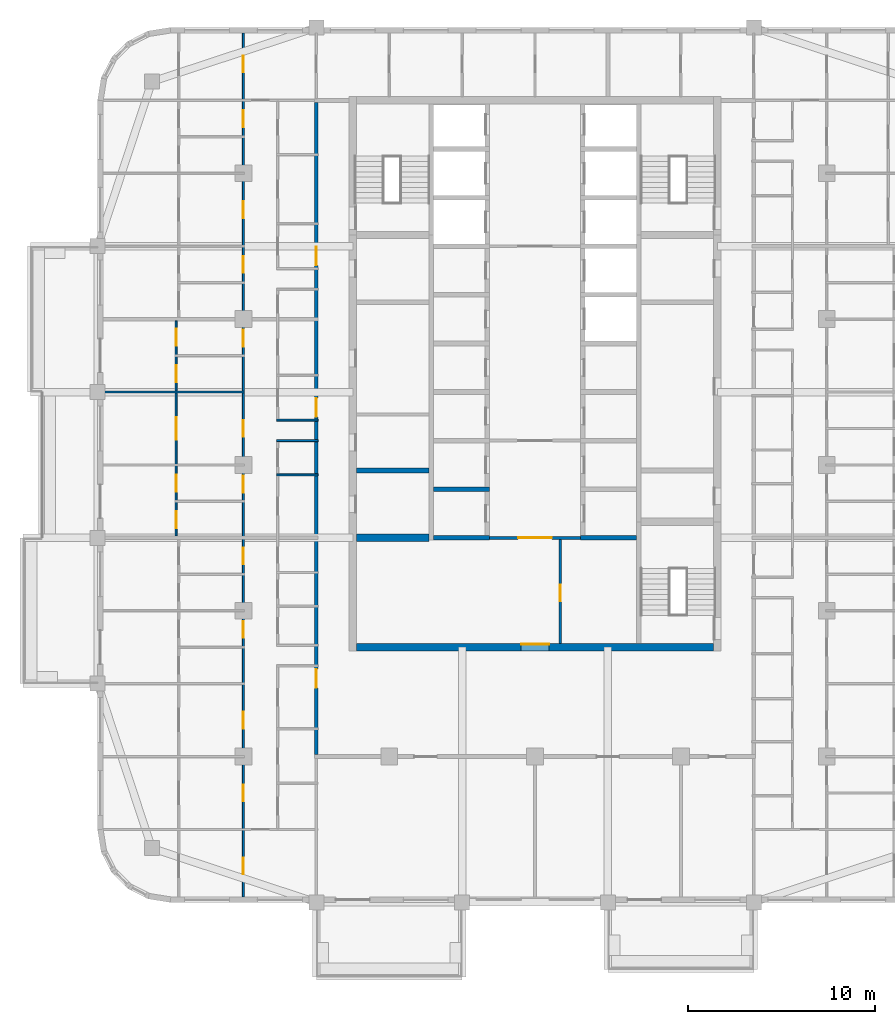
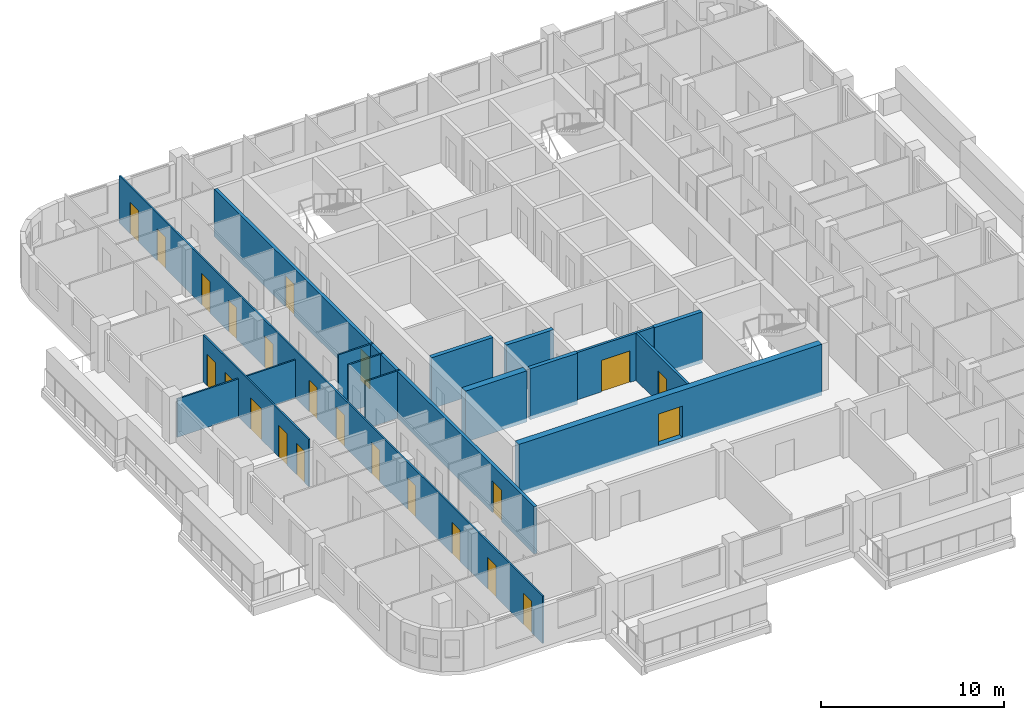
# One storey, part 4 of 16: 23 doors, 15 walls, 23 openings.
"""IFC4 building model written with IfcOpenShell, lengths in metres."""

from ifc_helpers import new_model, si_unit, direction, frame, frame_2d, origin, place, context, subcontext, project, spatial, rectangle, extrude, material, layer, layer_set, type_object, element, fill, save


model = new_model("IFC4")

# Units and contexts
model_context = context("Model", 3, precision=1e-05, world=origin(), true_north=direction((0.0, 1.0)))
body_context = subcontext(model_context, "Body", "Model", "MODEL_VIEW")
ifc_project = project(units=[si_unit("LENGTHUNIT", "METRE"), si_unit("AREAUNIT", "SQUARE_METRE"), si_unit("VOLUMEUNIT", "CUBIC_METRE"), si_unit("PLANEANGLEUNIT", "RADIAN"), si_unit("MASSUNIT", "GRAM", prefix="KILO")], contexts=[model_context])

# Site, building, storey
site_placement = place(None, origin())
site = spatial("IfcSite", under=ifc_project, at=site_placement, CompositionType="ELEMENT")
building_placement = place(site_placement, origin())
building = spatial("IfcBuilding", under=site, at=building_placement, Name="Ludao Terraces", CompositionType="ELEMENT")
storey_placement = place(building_placement, frame((0.0, 0.0, 224.5)))
storey = spatial("IfcBuildingStorey", under=building, at=storey_placement, Name="L61", CompositionType="ELEMENT", Elevation=224.5)

# Wall, opening, door
ifc_material_1 = material(Name="Concrete C50", Category="concrete")
ifc_layer_1 = layer(ifc_material_1, 0.39990234375)
ifc_layer_set_1 = layer_set([ifc_layer_1], Name="Core wall 400 C50")
wall_type_1 = type_object("IfcWallType", Name="Core wall 400 C50", PredefinedType="SOLIDWALL", material=ifc_layer_set_1)
wall_1_placement = place(storey_placement, frame((75.449951171875, 55.25, -0.25), z_axis=(0.0, 0.0, 1.0), x_axis=(1.0, 0.0, 0.0)))
wall_1 = element("IfcWall", 1, at=wall_1_placement, inside=storey, type_object=wall_type_1, Name="Core wall L61 outer-S", PredefinedType="SOLIDWALL", context=body_context, shape_type="SweptSolid", body=[
    extrude(rectangle(XDim=19.10009765625, YDim=0.39990234375, at=frame_2d((9.550048828125, 0.0))), origin(), (0.0, 0.0, 1.0), 3.39990234375),
])
opening_1_placement = place(wall_1_placement, frame((8.800048828125, 0.0, 0.25)))
opening_1 = element("IfcOpeningElement", 2, at=opening_1_placement, cuts=wall_1, Name="Opening R22-028", PredefinedType="OPENING", context=body_context, shape_type="SweptSolid", body=[
    extrude(rectangle(XDim=1.5, YDim=2.10009765625, at=frame_2d((0.75, 1.050048828125))), frame((0.0, 0.2099609375, 0.0), z_axis=(0.0, -1.0, 0.0), x_axis=(1.0, 0.0, 0.0)), (0.0, 0.0, 1.0), 0.419921875),
])
ifc_material_2 = material(Name="Steel Q235", Category="steel")
door_type_1 = type_object("IfcDoorType", Name="INT Lobby door 1500", OperationType="DOUBLE_DOOR_SINGLE_SWING", PredefinedType="DOOR", material=ifc_material_2)
door_1_placement = place(opening_1_placement, origin())
door_1 = element("IfcDoor", 3, at=door_1_placement, inside=storey, type_object=door_type_1, Name="DOOR 028", OperationType="DOUBLE_DOOR_SINGLE_SWING", OverallHeight=2.10009765625, OverallWidth=1.5, PredefinedType="DOOR", context=body_context, shape_type="SweptSolid", body=[
    extrude(rectangle(XDim=1.5, YDim=2.10009765625, at=frame_2d((0.75, 1.050048828125))), frame((0.0, 0.18505859375, 0.0), z_axis=(0.0, -1.0, 0.0), x_axis=(1.0, 0.0, 0.0)), (0.0, 0.0, 1.0), 0.050048828125),
])
fill(opening_1, door_1)

ifc_material_3 = material(Name="Fire-rated gypsum plasterboard", Category="gypsum")
ifc_layer_2 = layer(ifc_material_3, 0.012451171875, Category="gypsum")
ifc_material_4 = material(Name="Mineral wool")
ifc_layer_3 = layer(ifc_material_4, 0.10009765625, Name="insulation")
ifc_layer_4 = layer(ifc_material_2, 0.02490234375, Name="stud")
ifc_layer_5 = layer(ifc_material_3, 0.012451171875, Category="gypsum")
ifc_layer_set_2 = layer_set([ifc_layer_2, ifc_layer_3, ifc_layer_4, ifc_layer_5], Name="INT Core partition 150")
wall_type_2 = type_object("IfcWallType", Name="INT Core partition 150", PredefinedType="PARTITIONING", material=ifc_layer_set_2)
wall_2_placement = place(storey_placement, frame((82.5751953125, 61.10009765625, 0.0), z_axis=(0.0, 0.0, 1.0), x_axis=(1.0, 0.0, 0.0)))
wall_2 = element("IfcWall", 4, at=wall_2_placement, inside=storey, type_object=wall_type_2, Name="PW-L61-PW026", PredefinedType="PARTITIONING", context=body_context, shape_type="SweptSolid", body=[
    extrude(rectangle(XDim=4.849853515625, YDim=0.14990234375, at=frame_2d((2.4248046875, 0.0))), origin(), (0.0, 0.0, 1.0), 3.14990234375),
])
opening_2_placement = place(wall_2_placement, frame((1.52490234375, 0.0, 0.0)))
opening_2 = element("IfcOpeningElement", 5, at=opening_2_placement, cuts=wall_2, Name="Opening R22-047", PredefinedType="OPENING", context=body_context, shape_type="SweptSolid", body=[
    extrude(rectangle(XDim=1.800048828125, YDim=2.10009765625, at=frame_2d((0.89990234375, 1.050048828125))), frame((0.0, 0.0849609375, 0.0), z_axis=(0.0, -1.0, 0.0), x_axis=(1.0, 0.0, 0.0)), (0.0, 0.0, 1.0), 0.169921875),
])
door_type_2 = type_object("IfcDoorType", Name="INT Fire lobby door 1800", OperationType="DOUBLE_DOOR_SINGLE_SWING", PredefinedType="DOOR", material=ifc_material_2)
door_2_placement = place(opening_2_placement, origin())
door_2 = element("IfcDoor", 6, at=door_2_placement, inside=storey, type_object=door_type_2, Name="DOOR 047", OperationType="DOUBLE_DOOR_SINGLE_SWING", OverallHeight=2.10009765625, OverallWidth=1.800048828125, PredefinedType="DOOR", context=body_context, shape_type="SweptSolid", body=[
    extrude(rectangle(XDim=1.800048828125, YDim=2.10009765625, at=frame_2d((0.89990234375, 1.050048828125))), frame((0.0, 0.02490234375, 0.0), z_axis=(0.0, -1.0, 0.0), x_axis=(1.0, 0.0, 0.0)), (0.0, 0.0, 1.0), 0.050048828125),
])
fill(opening_2, door_2)

wall_3_placement = place(storey_placement, frame((86.35009765625, 55.4501953125, 0.0), z_axis=(0.0, 0.0, 1.0), x_axis=(0.0, 1.0, 0.0)))
wall_3 = element("IfcWall", 7, at=wall_3_placement, inside=storey, type_object=wall_type_2, Name="PW-L61-PW084", PredefinedType="PARTITIONING", context=body_context, shape_type="SweptSolid", body=[
    extrude(rectangle(XDim=5.574951171875, YDim=0.14990234375, at=frame_2d((2.78759765625, 0.0))), origin(), (0.0, 0.0, 1.0), 3.14990234375),
])
opening_3_placement = place(wall_3_placement, frame((2.25, 0.0, 0.0)))
opening_3 = element("IfcOpeningElement", 8, at=opening_3_placement, cuts=wall_3, Name="Opening R22-036", PredefinedType="OPENING", context=body_context, shape_type="SweptSolid", body=[
    extrude(rectangle(XDim=0.89990234375, YDim=2.10009765625, at=frame_2d((0.449951171875, 1.050048828125))), frame((0.0, 0.0849609375, 0.0), z_axis=(0.0, -1.0, 0.0), x_axis=(1.0, 0.0, 0.0)), (0.0, 0.0, 1.0), 0.169921875),
])
ifc_material_5 = material(Name="Timber door leaf", Category="wood")
door_type_3 = type_object("IfcDoorType", Name="INT Room door 900", OperationType="SINGLE_SWING_LEFT", PredefinedType="DOOR", material=ifc_material_5)
door_3_placement = place(opening_3_placement, origin())
door_3 = element("IfcDoor", 9, at=door_3_placement, inside=storey, type_object=door_type_3, Name="DOOR 036", OperationType="SINGLE_SWING_RIGHT", OverallHeight=2.10009765625, OverallWidth=0.89990234375, PredefinedType="DOOR", context=body_context, shape_type="SweptSolid", body=[
    extrude(rectangle(XDim=0.89990234375, YDim=2.10009765625, at=frame_2d((0.449951171875, 1.050048828125))), frame((0.0, 0.02490234375, 0.0), z_axis=(0.0, -1.0, 0.0), x_axis=(1.0, 0.0, 0.0)), (0.0, 0.0, 1.0), 0.050048828125),
])
fill(opening_3, door_3)

# Wall, openings, doors
ifc_material_6 = material(Name="Autoclaved aerated concrete block B06 A3.5", Category="concrete")
ifc_layer_6 = layer(ifc_material_6, 0.199951171875)
ifc_layer_set_3 = layer_set([ifc_layer_6], Name="INT Entrance wall 200")
wall_type_3 = type_object("IfcWallType", Name="INT Entrance wall 200", PredefinedType="PARTITIONING", material=ifc_layer_set_3)
wall_4_placement = place(storey_placement, frame((73.300048828125, 49.5, 0.0), z_axis=(0.0, 0.0, 1.0), x_axis=(0.0, 1.0, 0.0)))
wall_4 = element("IfcWall", 10, at=wall_4_placement, inside=storey, type_object=wall_type_3, Name="PW-L61-PW078", PredefinedType="PARTITIONING", context=body_context, shape_type="SweptSolid", body=[
    extrude(rectangle(XDim=34.900146484375, YDim=0.199951171875, at=frame_2d((17.4501953125, 0.0))), origin(), (0.0, 0.0, 1.0), 3.14990234375),
])
opening_4_placement = place(wall_4_placement, frame((3.5751953125, 0.0, 0.0)))
opening_4 = element("IfcOpeningElement", 11, at=opening_4_placement, cuts=wall_4, Name="Opening R22-025", PredefinedType="OPENING", context=body_context, shape_type="SweptSolid", body=[
    extrude(rectangle(XDim=1.0, YDim=2.10009765625, at=frame_2d((0.5, 1.050048828125))), frame((0.0, 0.10986328125, 0.0), z_axis=(0.0, -1.0, 0.0), x_axis=(1.0, 0.0, 0.0)), (0.0, 0.0, 1.0), 0.219970703125),
])
opening_5_placement = place(wall_4_placement, frame((18.0751953125, 0.0, 0.0)))
opening_5 = element("IfcOpeningElement", 12, at=opening_5_placement, cuts=wall_4, Name="Opening R22-074", PredefinedType="OPENING", context=body_context, shape_type="SweptSolid", body=[
    extrude(rectangle(XDim=1.0, YDim=2.10009765625, at=frame_2d((0.5, 1.050048828125))), frame((0.0, 0.10986328125, 0.0), z_axis=(0.0, -1.0, 0.0), x_axis=(1.0, 0.0, 0.0)), (0.0, 0.0, 1.0), 0.219970703125),
])
opening_6_placement = place(wall_4_placement, frame((26.175048828125, 0.0, 0.0)))
opening_6 = element("IfcOpeningElement", 13, at=opening_6_placement, cuts=wall_4, Name="Opening R22-103", PredefinedType="OPENING", context=body_context, shape_type="SweptSolid", body=[
    extrude(rectangle(XDim=1.0, YDim=2.10009765625, at=frame_2d((0.5, 1.050048828125))), frame((0.0, 0.10986328125, 0.0), z_axis=(0.0, -1.0, 0.0), x_axis=(1.0, 0.0, 0.0)), (0.0, 0.0, 1.0), 0.219970703125),
])
door_type_4 = type_object("IfcDoorType", Name="INT Flat entrance door 1000", OperationType="SINGLE_SWING_LEFT", PredefinedType="DOOR", material=ifc_material_2)
door_4_placement = place(opening_4_placement, origin())
door_4 = element("IfcDoor", 14, at=door_4_placement, inside=storey, type_object=door_type_4, Name="DOOR 025", OperationType="SINGLE_SWING_LEFT", OverallHeight=2.10009765625, OverallWidth=1.0, PredefinedType="DOOR", context=body_context, shape_type="SweptSolid", body=[
    extrude(rectangle(XDim=1.0, YDim=2.10009765625, at=frame_2d((0.5, 1.050048828125))), frame((0.0, 0.02490234375, 0.0), z_axis=(0.0, -1.0, 0.0), x_axis=(1.0, 0.0, 0.0)), (0.0, 0.0, 1.0), 0.050048828125),
])
fill(opening_4, door_4)
door_5_placement = place(opening_5_placement, origin())
door_5 = element("IfcDoor", 15, at=door_5_placement, inside=storey, type_object=door_type_4, Name="DOOR 074", OperationType="SINGLE_SWING_RIGHT", OverallHeight=2.10009765625, OverallWidth=1.0, PredefinedType="DOOR", context=body_context, shape_type="SweptSolid", body=[
    extrude(rectangle(XDim=1.0, YDim=2.10009765625, at=frame_2d((0.5, 1.050048828125))), frame((0.0, 0.02490234375, 0.0), z_axis=(0.0, -1.0, 0.0), x_axis=(1.0, 0.0, 0.0)), (0.0, 0.0, 1.0), 0.050048828125),
])
fill(opening_5, door_5)
door_6_placement = place(opening_6_placement, origin())
door_6 = element("IfcDoor", 16, at=door_6_placement, inside=storey, type_object=door_type_4, Name="DOOR 103", OperationType="SINGLE_SWING_RIGHT", OverallHeight=2.10009765625, OverallWidth=1.0, PredefinedType="DOOR", context=body_context, shape_type="SweptSolid", body=[
    extrude(rectangle(XDim=1.0, YDim=2.10009765625, at=frame_2d((0.5, 1.050048828125))), frame((0.0, 0.02490234375, 0.0), z_axis=(0.0, -1.0, 0.0), x_axis=(1.0, 0.0, 0.0)), (0.0, 0.0, 1.0), 0.050048828125),
])
fill(opening_6, door_6)

# Walls
ifc_material_7 = material(Name="Gypsum plasterboard", Category="gypsum")
ifc_layer_7 = layer(ifc_material_7, 0.012451171875, Category="gypsum")
ifc_layer_8 = layer(ifc_material_4, 0.06005859375, Name="insulation")
ifc_layer_9 = layer(ifc_material_2, 0.014892578125, Name="stud")
ifc_layer_10 = layer(ifc_material_7, 0.012451171875, Category="gypsum")
ifc_layer_set_4 = layer_set([ifc_layer_7, ifc_layer_8, ifc_layer_9, ifc_layer_10], Name="INT Partition 100")
wall_type_4 = type_object("IfcWallType", Name="INT Partition 100", PredefinedType="PARTITIONING", material=ifc_layer_set_4)
for number, where, z_axis, x_axis, name in (
    (17, (71.18017578125, 64.469970703125, 0.0), (0.0, 0.0, 1.0), (1.0, 0.0, 0.0), "PW-L61-PW031"),
    (18, (71.18017578125, 66.300048828125, 0.0), (0.0, 0.0, 1.0), (1.0, 0.0, 0.0), "PW-L61-PW035"),
    (19, (71.18017578125, 67.39990234375, 0.0), (0.0, 0.0, 1.0), (1.0, 0.0, 0.0), "PW-L61-PW038"),
):
    element("IfcWall", number, at=place(storey_placement, frame(where, z_axis=z_axis, x_axis=x_axis)), inside=storey, type_object=wall_type_4, Name=name, PredefinedType="PARTITIONING", context=body_context, shape_type="SweptSolid", body=[
        extrude(rectangle(XDim=2.219970703125, YDim=0.10009765625, at=frame_2d((1.10986328125, 0.0))), origin(), (0.0, 0.0, 1.0), 3.14990234375),
    ])
wall_5_placement = place(storey_placement, frame((61.900146484375, 68.89990234375, 0.0), z_axis=(0.0, 0.0, 1.0), x_axis=(1.0, 0.0, 0.0)))
element("IfcWall", 20, at=wall_5_placement, inside=storey, type_object=wall_type_4, Name="PW-L61-PW041", PredefinedType="PARTITIONING", context=body_context, shape_type="SweptSolid", body=[
    extrude(rectangle(XDim=7.550048828125, YDim=0.10009765625, at=frame_2d((3.77490234375, 0.0))), origin(), (0.0, 0.0, 1.0), 2.550048828125),
])

# Wall, openings, doors
wall_6_placement = place(storey_placement, frame((65.800048828125, 61.2001953125, 0.0), z_axis=(0.0, 0.0, 1.0), x_axis=(0.0, 1.0, 0.0)))
wall_6 = element("IfcWall", 21, at=wall_6_placement, inside=storey, type_object=wall_type_4, Name="PW-L61-PW069", PredefinedType="PARTITIONING", context=body_context, shape_type="SweptSolid", body=[
    extrude(rectangle(XDim=11.5, YDim=0.10009765625, at=frame_2d((5.75, 0.0))), origin(), (0.0, 0.0, 1.0), 3.14990234375),
])
opening_7_placement = place(wall_6_placement, frame((0.4248046875, 0.0, 0.0)))
opening_7 = element("IfcOpeningElement", 22, at=opening_7_placement, cuts=wall_6, Name="Opening R22-048", PredefinedType="OPENING", context=body_context, shape_type="SweptSolid", body=[
    extrude(rectangle(XDim=0.89990234375, YDim=2.10009765625, at=frame_2d((0.449951171875, 1.050048828125))), frame((0.0, 0.06005859375, 0.0), z_axis=(0.0, -1.0, 0.0), x_axis=(1.0, 0.0, 0.0)), (0.0, 0.0, 1.0), 0.1201171875),
])
opening_8_placement = place(wall_6_placement, frame((2.375, 0.0, 0.0)))
opening_8 = element("IfcOpeningElement", 23, at=opening_8_placement, cuts=wall_6, Name="Opening R22-058", PredefinedType="OPENING", context=body_context, shape_type="SweptSolid", body=[
    extrude(rectangle(XDim=0.89990234375, YDim=2.10009765625, at=frame_2d((0.449951171875, 1.050048828125))), frame((0.0, 0.06005859375, 0.0), z_axis=(0.0, -1.0, 0.0), x_axis=(1.0, 0.0, 0.0)), (0.0, 0.0, 1.0), 0.1201171875),
])
opening_9_placement = place(wall_6_placement, frame((5.14990234375, 0.0, 0.0)))
opening_9 = element("IfcOpeningElement", 24, at=opening_9_placement, cuts=wall_6, Name="Opening R22-067", PredefinedType="OPENING", context=body_context, shape_type="SweptSolid", body=[
    extrude(rectangle(XDim=1.199951171875, YDim=2.10009765625, at=frame_2d((0.60009765625, 1.050048828125))), frame((0.0, 0.06005859375, 0.0), z_axis=(0.0, -1.0, 0.0), x_axis=(1.0, 0.0, 0.0)), (0.0, 0.0, 1.0), 0.1201171875),
])
opening_10_placement = place(wall_6_placement, frame((8.224853515625, 0.0, 0.0)))
opening_10 = element("IfcOpeningElement", 25, at=opening_10_placement, cuts=wall_6, Name="Opening R22-077", PredefinedType="OPENING", context=body_context, shape_type="SweptSolid", body=[
    extrude(rectangle(XDim=0.89990234375, YDim=2.10009765625, at=frame_2d((0.449951171875, 1.050048828125))), frame((0.0, 0.06005859375, 0.0), z_axis=(0.0, -1.0, 0.0), x_axis=(1.0, 0.0, 0.0)), (0.0, 0.0, 1.0), 0.1201171875),
])
opening_11_placement = place(wall_6_placement, frame((10.1748046875, 0.0, 0.0)))
opening_11 = element("IfcOpeningElement", 26, at=opening_11_placement, cuts=wall_6, Name="Opening R22-086", PredefinedType="OPENING", context=body_context, shape_type="SweptSolid", body=[
    extrude(rectangle(XDim=0.89990234375, YDim=2.10009765625, at=frame_2d((0.449951171875, 1.050048828125))), frame((0.0, 0.06005859375, 0.0), z_axis=(0.0, -1.0, 0.0), x_axis=(1.0, 0.0, 0.0)), (0.0, 0.0, 1.0), 0.1201171875),
])
door_type_5 = type_object("IfcDoorType", Name="INT Bathroom door 900", OperationType="SINGLE_SWING_LEFT", PredefinedType="DOOR", material=ifc_material_5)
door_7_placement = place(opening_7_placement, origin())
door_7 = element("IfcDoor", 27, at=door_7_placement, inside=storey, type_object=door_type_5, Name="DOOR 048", OperationType="SINGLE_SWING_RIGHT", OverallHeight=2.10009765625, OverallWidth=0.89990234375, PredefinedType="DOOR", context=body_context, shape_type="SweptSolid", body=[
    extrude(rectangle(XDim=0.89990234375, YDim=2.10009765625, at=frame_2d((0.449951171875, 1.050048828125))), frame((0.0, 0.02490234375, 0.0), z_axis=(0.0, -1.0, 0.0), x_axis=(1.0, 0.0, 0.0)), (0.0, 0.0, 1.0), 0.050048828125),
])
fill(opening_7, door_7)
door_8_placement = place(opening_10_placement, origin())
door_8 = element("IfcDoor", 28, at=door_8_placement, inside=storey, type_object=door_type_5, Name="DOOR 077", OperationType="SINGLE_SWING_RIGHT", OverallHeight=2.10009765625, OverallWidth=0.89990234375, PredefinedType="DOOR", context=body_context, shape_type="SweptSolid", body=[
    extrude(rectangle(XDim=0.89990234375, YDim=2.10009765625, at=frame_2d((0.449951171875, 1.050048828125))), frame((0.0, 0.02490234375, 0.0), z_axis=(0.0, -1.0, 0.0), x_axis=(1.0, 0.0, 0.0)), (0.0, 0.0, 1.0), 0.050048828125),
])
fill(opening_10, door_8)
door_type_6 = type_object("IfcDoorType", Name="INT Double door 1200", OperationType="DOUBLE_DOOR_SINGLE_SWING", PredefinedType="DOOR", material=ifc_material_5)
door_9_placement = place(opening_9_placement, origin())
door_9 = element("IfcDoor", 29, at=door_9_placement, inside=storey, type_object=door_type_6, Name="DOOR 067", OperationType="DOUBLE_DOOR_SINGLE_SWING", OverallHeight=2.10009765625, OverallWidth=1.199951171875, PredefinedType="DOOR", context=body_context, shape_type="SweptSolid", body=[
    extrude(rectangle(XDim=1.199951171875, YDim=2.10009765625, at=frame_2d((0.60009765625, 1.050048828125))), frame((0.0, 0.02490234375, 0.0), z_axis=(0.0, -1.0, 0.0), x_axis=(1.0, 0.0, 0.0)), (0.0, 0.0, 1.0), 0.050048828125),
])
fill(opening_9, door_9)
door_10_placement = place(opening_8_placement, origin())
door_10 = element("IfcDoor", 30, at=door_10_placement, inside=storey, type_object=door_type_3, Name="DOOR 058", OperationType="SINGLE_SWING_RIGHT", OverallHeight=2.10009765625, OverallWidth=0.89990234375, PredefinedType="DOOR", context=body_context, shape_type="SweptSolid", body=[
    extrude(rectangle(XDim=0.89990234375, YDim=2.10009765625, at=frame_2d((0.449951171875, 1.050048828125))), frame((0.0, 0.02490234375, 0.0), z_axis=(0.0, -1.0, 0.0), x_axis=(1.0, 0.0, 0.0)), (0.0, 0.0, 1.0), 0.050048828125),
])
fill(opening_8, door_10)
door_11_placement = place(opening_11_placement, origin())
door_11 = element("IfcDoor", 31, at=door_11_placement, inside=storey, type_object=door_type_3, Name="DOOR 086", OperationType="SINGLE_SWING_LEFT", OverallHeight=2.10009765625, OverallWidth=0.89990234375, PredefinedType="DOOR", context=body_context, shape_type="SweptSolid", body=[
    extrude(rectangle(XDim=0.89990234375, YDim=2.10009765625, at=frame_2d((0.449951171875, 1.050048828125))), frame((0.0, 0.02490234375, 0.0), z_axis=(0.0, -1.0, 0.0), x_axis=(1.0, 0.0, 0.0)), (0.0, 0.0, 1.0), 0.050048828125),
])
fill(opening_11, door_11)

wall_7_placement = place(storey_placement, frame((69.39990234375, 41.900146484375, 0.0), z_axis=(0.0, 0.0, 1.0), x_axis=(0.0, 1.0, 0.0)))
wall_7 = element("IfcWall", 32, at=wall_7_placement, inside=storey, type_object=wall_type_4, Name="PW-L61-PW072", PredefinedType="PARTITIONING", context=body_context, shape_type="SweptSolid", body=[
    extrude(rectangle(XDim=46.199951171875, YDim=0.10009765625, at=frame_2d((23.10009765625, 0.0))), origin(), (0.0, 0.0, 1.0), 3.14990234375),
])
opening_12_placement = place(wall_7_placement, frame((1.199951171875, 0.0, 0.0)))
opening_12 = element("IfcOpeningElement", 33, at=opening_12_placement, cuts=wall_7, Name="Opening R22-002", PredefinedType="OPENING", context=body_context, shape_type="SweptSolid", body=[
    extrude(rectangle(XDim=0.89990234375, YDim=2.10009765625, at=frame_2d((0.449951171875, 1.050048828125))), frame((0.0, 0.06005859375, 0.0), z_axis=(0.0, -1.0, 0.0), x_axis=(1.0, 0.0, 0.0)), (0.0, 0.0, 1.0), 0.1201171875),
])
opening_13_placement = place(wall_7_placement, frame((5.10009765625, 0.0, 0.0)))
opening_13 = element("IfcOpeningElement", 34, at=opening_13_placement, cuts=wall_7, Name="Opening R22-011", PredefinedType="OPENING", context=body_context, shape_type="SweptSolid", body=[
    extrude(rectangle(XDim=0.89990234375, YDim=2.10009765625, at=frame_2d((0.449951171875, 1.050048828125))), frame((0.0, 0.06005859375, 0.0), z_axis=(0.0, -1.0, 0.0), x_axis=(1.0, 0.0, 0.0)), (0.0, 0.0, 1.0), 0.1201171875),
])
opening_14_placement = place(wall_7_placement, frame((9.0, 0.0, 0.0)))
opening_14 = element("IfcOpeningElement", 35, at=opening_14_placement, cuts=wall_7, Name="Opening R22-020", PredefinedType="OPENING", context=body_context, shape_type="SweptSolid", body=[
    extrude(rectangle(XDim=0.89990234375, YDim=2.10009765625, at=frame_2d((0.449951171875, 1.050048828125))), frame((0.0, 0.06005859375, 0.0), z_axis=(0.0, -1.0, 0.0), x_axis=(1.0, 0.0, 0.0)), (0.0, 0.0, 1.0), 0.1201171875),
])
opening_15_placement = place(wall_7_placement, frame((13.85009765625, 0.0, 0.0)))
opening_15 = element("IfcOpeningElement", 36, at=opening_15_placement, cuts=wall_7, Name="Opening R22-031", PredefinedType="OPENING", context=body_context, shape_type="SweptSolid", body=[
    extrude(rectangle(XDim=0.89990234375, YDim=2.10009765625, at=frame_2d((0.449951171875, 1.050048828125))), frame((0.0, 0.06005859375, 0.0), z_axis=(0.0, -1.0, 0.0), x_axis=(1.0, 0.0, 0.0)), (0.0, 0.0, 1.0), 0.1201171875),
])
opening_16_placement = place(wall_7_placement, frame((17.77490234375, 0.0, 0.0)))
opening_16 = element("IfcOpeningElement", 37, at=opening_16_placement, cuts=wall_7, Name="Opening R22-043", PredefinedType="OPENING", context=body_context, shape_type="SweptSolid", body=[
    extrude(rectangle(XDim=0.89990234375, YDim=2.10009765625, at=frame_2d((0.449951171875, 1.050048828125))), frame((0.0, 0.06005859375, 0.0), z_axis=(0.0, -1.0, 0.0), x_axis=(1.0, 0.0, 0.0)), (0.0, 0.0, 1.0), 0.1201171875),
])
opening_17_placement = place(wall_7_placement, frame((21.625, 0.0, 0.0)))
opening_17 = element("IfcOpeningElement", 38, at=opening_17_placement, cuts=wall_7, Name="Opening R22-056", PredefinedType="OPENING", context=body_context, shape_type="SweptSolid", body=[
    extrude(rectangle(XDim=0.89990234375, YDim=2.10009765625, at=frame_2d((0.449951171875, 1.050048828125))), frame((0.0, 0.06005859375, 0.0), z_axis=(0.0, -1.0, 0.0), x_axis=(1.0, 0.0, 0.0)), (0.0, 0.0, 1.0), 0.1201171875),
])
opening_18_placement = place(wall_7_placement, frame((24.60009765625, 0.0, 0.0)))
opening_18 = element("IfcOpeningElement", 39, at=opening_18_placement, cuts=wall_7, Name="Opening R22-068", PredefinedType="OPENING", context=body_context, shape_type="SweptSolid", body=[
    extrude(rectangle(XDim=0.89990234375, YDim=2.10009765625, at=frame_2d((0.449951171875, 1.050048828125))), frame((0.0, 0.06005859375, 0.0), z_axis=(0.0, -1.0, 0.0), x_axis=(1.0, 0.0, 0.0)), (0.0, 0.0, 1.0), 0.1201171875),
])
opening_19_placement = place(wall_7_placement, frame((29.425048828125, 0.0, 0.0)))
opening_19 = element("IfcOpeningElement", 40, at=opening_19_placement, cuts=wall_7, Name="Opening R22-085", PredefinedType="OPENING", context=body_context, shape_type="SweptSolid", body=[
    extrude(rectangle(XDim=0.89990234375, YDim=2.10009765625, at=frame_2d((0.449951171875, 1.050048828125))), frame((0.0, 0.06005859375, 0.0), z_axis=(0.0, -1.0, 0.0), x_axis=(1.0, 0.0, 0.0)), (0.0, 0.0, 1.0), 0.1201171875),
])
opening_20_placement = place(wall_7_placement, frame((33.375, 0.0, 0.0)))
opening_20 = element("IfcOpeningElement", 41, at=opening_20_placement, cuts=wall_7, Name="Opening R22-100", PredefinedType="OPENING", context=body_context, shape_type="SweptSolid", body=[
    extrude(rectangle(XDim=0.89990234375, YDim=2.10009765625, at=frame_2d((0.449951171875, 1.050048828125))), frame((0.0, 0.06005859375, 0.0), z_axis=(0.0, -1.0, 0.0), x_axis=(1.0, 0.0, 0.0)), (0.0, 0.0, 1.0), 0.1201171875),
])
opening_21_placement = place(wall_7_placement, frame((36.300048828125, 0.0, 0.0)))
opening_21 = element("IfcOpeningElement", 42, at=opening_21_placement, cuts=wall_7, Name="Opening R22-112", PredefinedType="OPENING", context=body_context, shape_type="SweptSolid", body=[
    extrude(rectangle(XDim=0.89990234375, YDim=2.10009765625, at=frame_2d((0.449951171875, 1.050048828125))), frame((0.0, 0.06005859375, 0.0), z_axis=(0.0, -1.0, 0.0), x_axis=(1.0, 0.0, 0.0)), (0.0, 0.0, 1.0), 0.1201171875),
])
opening_22_placement = place(wall_7_placement, frame((41.175048828125, 0.0, 0.0)))
opening_22 = element("IfcOpeningElement", 43, at=opening_22_placement, cuts=wall_7, Name="Opening R22-128", PredefinedType="OPENING", context=body_context, shape_type="SweptSolid", body=[
    extrude(rectangle(XDim=0.89990234375, YDim=2.10009765625, at=frame_2d((0.449951171875, 1.050048828125))), frame((0.0, 0.06005859375, 0.0), z_axis=(0.0, -1.0, 0.0), x_axis=(1.0, 0.0, 0.0)), (0.0, 0.0, 1.0), 0.1201171875),
])
opening_23_placement = place(wall_7_placement, frame((44.10009765625, 0.0, 0.0)))
opening_23 = element("IfcOpeningElement", 44, at=opening_23_placement, cuts=wall_7, Name="Opening R22-132", PredefinedType="OPENING", context=body_context, shape_type="SweptSolid", body=[
    extrude(rectangle(XDim=0.89990234375, YDim=2.10009765625, at=frame_2d((0.449951171875, 1.050048828125))), frame((0.0, 0.06005859375, 0.0), z_axis=(0.0, -1.0, 0.0), x_axis=(1.0, 0.0, 0.0)), (0.0, 0.0, 1.0), 0.1201171875),
])
door_12_placement = place(opening_12_placement, origin())
door_12 = element("IfcDoor", 45, at=door_12_placement, inside=storey, type_object=door_type_3, Name="DOOR 002", OperationType="SINGLE_SWING_LEFT", OverallHeight=2.10009765625, OverallWidth=0.89990234375, PredefinedType="DOOR", context=body_context, shape_type="SweptSolid", body=[
    extrude(rectangle(XDim=0.89990234375, YDim=2.10009765625, at=frame_2d((0.449951171875, 1.050048828125))), frame((0.0, 0.02490234375, 0.0), z_axis=(0.0, -1.0, 0.0), x_axis=(1.0, 0.0, 0.0)), (0.0, 0.0, 1.0), 0.050048828125),
])
fill(opening_12, door_12)
door_13_placement = place(opening_13_placement, origin())
door_13 = element("IfcDoor", 46, at=door_13_placement, inside=storey, type_object=door_type_3, Name="DOOR 011", OperationType="SINGLE_SWING_RIGHT", OverallHeight=2.10009765625, OverallWidth=0.89990234375, PredefinedType="DOOR", context=body_context, shape_type="SweptSolid", body=[
    extrude(rectangle(XDim=0.89990234375, YDim=2.10009765625, at=frame_2d((0.449951171875, 1.050048828125))), frame((0.0, 0.02490234375, 0.0), z_axis=(0.0, -1.0, 0.0), x_axis=(1.0, 0.0, 0.0)), (0.0, 0.0, 1.0), 0.050048828125),
])
fill(opening_13, door_13)
door_14_placement = place(opening_14_placement, origin())
door_14 = element("IfcDoor", 47, at=door_14_placement, inside=storey, type_object=door_type_3, Name="DOOR 020", OperationType="SINGLE_SWING_LEFT", OverallHeight=2.10009765625, OverallWidth=0.89990234375, PredefinedType="DOOR", context=body_context, shape_type="SweptSolid", body=[
    extrude(rectangle(XDim=0.89990234375, YDim=2.10009765625, at=frame_2d((0.449951171875, 1.050048828125))), frame((0.0, 0.02490234375, 0.0), z_axis=(0.0, -1.0, 0.0), x_axis=(1.0, 0.0, 0.0)), (0.0, 0.0, 1.0), 0.050048828125),
])
fill(opening_14, door_14)
door_15_placement = place(opening_15_placement, origin())
door_15 = element("IfcDoor", 48, at=door_15_placement, inside=storey, type_object=door_type_3, Name="DOOR 031", OperationType="SINGLE_SWING_LEFT", OverallHeight=2.10009765625, OverallWidth=0.89990234375, PredefinedType="DOOR", context=body_context, shape_type="SweptSolid", body=[
    extrude(rectangle(XDim=0.89990234375, YDim=2.10009765625, at=frame_2d((0.449951171875, 1.050048828125))), frame((0.0, 0.02490234375, 0.0), z_axis=(0.0, -1.0, 0.0), x_axis=(1.0, 0.0, 0.0)), (0.0, 0.0, 1.0), 0.050048828125),
])
fill(opening_15, door_15)
door_16_placement = place(opening_16_placement, origin())
door_16 = element("IfcDoor", 49, at=door_16_placement, inside=storey, type_object=door_type_3, Name="DOOR 043", OperationType="SINGLE_SWING_LEFT", OverallHeight=2.10009765625, OverallWidth=0.89990234375, PredefinedType="DOOR", context=body_context, shape_type="SweptSolid", body=[
    extrude(rectangle(XDim=0.89990234375, YDim=2.10009765625, at=frame_2d((0.449951171875, 1.050048828125))), frame((0.0, 0.02490234375, 0.0), z_axis=(0.0, -1.0, 0.0), x_axis=(1.0, 0.0, 0.0)), (0.0, 0.0, 1.0), 0.050048828125),
])
fill(opening_16, door_16)
door_17_placement = place(opening_17_placement, origin())
door_17 = element("IfcDoor", 50, at=door_17_placement, inside=storey, type_object=door_type_3, Name="DOOR 056", OperationType="SINGLE_SWING_LEFT", OverallHeight=2.10009765625, OverallWidth=0.89990234375, PredefinedType="DOOR", context=body_context, shape_type="SweptSolid", body=[
    extrude(rectangle(XDim=0.89990234375, YDim=2.10009765625, at=frame_2d((0.449951171875, 1.050048828125))), frame((0.0, 0.02490234375, 0.0), z_axis=(0.0, -1.0, 0.0), x_axis=(1.0, 0.0, 0.0)), (0.0, 0.0, 1.0), 0.050048828125),
])
fill(opening_17, door_17)
door_18_placement = place(opening_18_placement, origin())
door_18 = element("IfcDoor", 51, at=door_18_placement, inside=storey, type_object=door_type_3, Name="DOOR 068", OperationType="SINGLE_SWING_LEFT", OverallHeight=2.10009765625, OverallWidth=0.89990234375, PredefinedType="DOOR", context=body_context, shape_type="SweptSolid", body=[
    extrude(rectangle(XDim=0.89990234375, YDim=2.10009765625, at=frame_2d((0.449951171875, 1.050048828125))), frame((0.0, 0.02490234375, 0.0), z_axis=(0.0, -1.0, 0.0), x_axis=(1.0, 0.0, 0.0)), (0.0, 0.0, 1.0), 0.050048828125),
])
fill(opening_18, door_18)
door_19_placement = place(opening_19_placement, origin())
door_19 = element("IfcDoor", 52, at=door_19_placement, inside=storey, type_object=door_type_3, Name="DOOR 085", OperationType="SINGLE_SWING_LEFT", OverallHeight=2.10009765625, OverallWidth=0.89990234375, PredefinedType="DOOR", context=body_context, shape_type="SweptSolid", body=[
    extrude(rectangle(XDim=0.89990234375, YDim=2.10009765625, at=frame_2d((0.449951171875, 1.050048828125))), frame((0.0, 0.02490234375, 0.0), z_axis=(0.0, -1.0, 0.0), x_axis=(1.0, 0.0, 0.0)), (0.0, 0.0, 1.0), 0.050048828125),
])
fill(opening_19, door_19)
door_20_placement = place(opening_20_placement, origin())
door_20 = element("IfcDoor", 53, at=door_20_placement, inside=storey, type_object=door_type_3, Name="DOOR 100", OperationType="SINGLE_SWING_LEFT", OverallHeight=2.10009765625, OverallWidth=0.89990234375, PredefinedType="DOOR", context=body_context, shape_type="SweptSolid", body=[
    extrude(rectangle(XDim=0.89990234375, YDim=2.10009765625, at=frame_2d((0.449951171875, 1.050048828125))), frame((0.0, 0.02490234375, 0.0), z_axis=(0.0, -1.0, 0.0), x_axis=(1.0, 0.0, 0.0)), (0.0, 0.0, 1.0), 0.050048828125),
])
fill(opening_20, door_20)
door_21_placement = place(opening_21_placement, origin())
door_21 = element("IfcDoor", 54, at=door_21_placement, inside=storey, type_object=door_type_3, Name="DOOR 112", OperationType="SINGLE_SWING_LEFT", OverallHeight=2.10009765625, OverallWidth=0.89990234375, PredefinedType="DOOR", context=body_context, shape_type="SweptSolid", body=[
    extrude(rectangle(XDim=0.89990234375, YDim=2.10009765625, at=frame_2d((0.449951171875, 1.050048828125))), frame((0.0, 0.02490234375, 0.0), z_axis=(0.0, -1.0, 0.0), x_axis=(1.0, 0.0, 0.0)), (0.0, 0.0, 1.0), 0.050048828125),
])
fill(opening_21, door_21)
door_22_placement = place(opening_22_placement, origin())
door_22 = element("IfcDoor", 55, at=door_22_placement, inside=storey, type_object=door_type_3, Name="DOOR 128", OperationType="SINGLE_SWING_LEFT", OverallHeight=2.10009765625, OverallWidth=0.89990234375, PredefinedType="DOOR", context=body_context, shape_type="SweptSolid", body=[
    extrude(rectangle(XDim=0.89990234375, YDim=2.10009765625, at=frame_2d((0.449951171875, 1.050048828125))), frame((0.0, 0.02490234375, 0.0), z_axis=(0.0, -1.0, 0.0), x_axis=(1.0, 0.0, 0.0)), (0.0, 0.0, 1.0), 0.050048828125),
])
fill(opening_22, door_22)
door_23_placement = place(opening_23_placement, origin())
door_23 = element("IfcDoor", 56, at=door_23_placement, inside=storey, type_object=door_type_3, Name="DOOR 132", OperationType="SINGLE_SWING_RIGHT", OverallHeight=2.10009765625, OverallWidth=0.89990234375, PredefinedType="DOOR", context=body_context, shape_type="SweptSolid", body=[
    extrude(rectangle(XDim=0.89990234375, YDim=2.10009765625, at=frame_2d((0.449951171875, 1.050048828125))), frame((0.0, 0.02490234375, 0.0), z_axis=(0.0, -1.0, 0.0), x_axis=(1.0, 0.0, 0.0)), (0.0, 0.0, 1.0), 0.050048828125),
])
fill(opening_23, door_23)

# Walls
ifc_layer_11 = layer(ifc_material_1, 0.25)
ifc_layer_set_5 = layer_set([ifc_layer_11], Name="Shaft wall 250 C50")
wall_type_5 = type_object("IfcWallType", Name="Shaft wall 250 C50", PredefinedType="SOLIDWALL", material=ifc_layer_set_5)
for number, where, z_axis, x_axis, name in (
    (57, (79.574951171875, 61.10009765625, -0.25), (0.0, 0.0, 1.0), (1.0, 0.0, 0.0), "Core wall L61 div-W1"),
    (58, (79.574951171875, 63.699951171875, -0.25), (0.0, 0.0, 1.0), (1.0, 0.0, 0.0), "Core wall L61 div-W2"),
    (59, (87.425048828125, 61.10009765625, -0.25), (0.0, 0.0, 1.0), (1.0, 0.0, 0.0), "Core wall L61 div-E1"),
):
    element("IfcWall", number, at=place(storey_placement, frame(where, z_axis=z_axis, x_axis=x_axis)), inside=storey, type_object=wall_type_5, Name=name, PredefinedType="SOLIDWALL", context=body_context, shape_type="SweptSolid", body=[
        extrude(rectangle(XDim=3.0, YDim=0.25, at=frame_2d((1.5, 0.0))), origin(), (0.0, 0.0, 1.0), 3.39990234375),
    ])
wall_8_placement = place(storey_placement, frame((75.449951171875, 64.699951171875, -0.25), z_axis=(0.0, 0.0, 1.0), x_axis=(1.0, 0.0, 0.0)))
element("IfcWall", 60, at=wall_8_placement, inside=storey, type_object=wall_type_5, Name="Core wall L61 riser-a-W", PredefinedType="SOLIDWALL", context=body_context, shape_type="SweptSolid", body=[
    extrude(rectangle(XDim=3.875, YDim=0.25, at=frame_2d((1.9375, 0.0))), origin(), (0.0, 0.0, 1.0), 3.39990234375),
])
ifc_layer_12 = layer(ifc_material_1, 0.39990234375)
ifc_layer_set_6 = layer_set([ifc_layer_12], Name="Shaft wall 400 C50")
wall_type_6 = type_object("IfcWallType", Name="Shaft wall 400 C50", PredefinedType="SOLIDWALL", material=ifc_layer_set_6)
wall_9_placement = place(storey_placement, frame((75.449951171875, 61.10009765625, -0.25), z_axis=(0.0, 0.0, 1.0), x_axis=(1.0, 0.0, 0.0)))
element("IfcWall", 61, at=wall_9_placement, inside=storey, type_object=wall_type_6, Name="Core wall L61 hall-W", PredefinedType="SOLIDWALL", context=body_context, shape_type="SweptSolid", body=[
    extrude(rectangle(XDim=3.875, YDim=0.39990234375, at=frame_2d((1.9375, 0.0))), origin(), (0.0, 0.0, 1.0), 3.39990234375),
])

save(model, "model.ifc")
